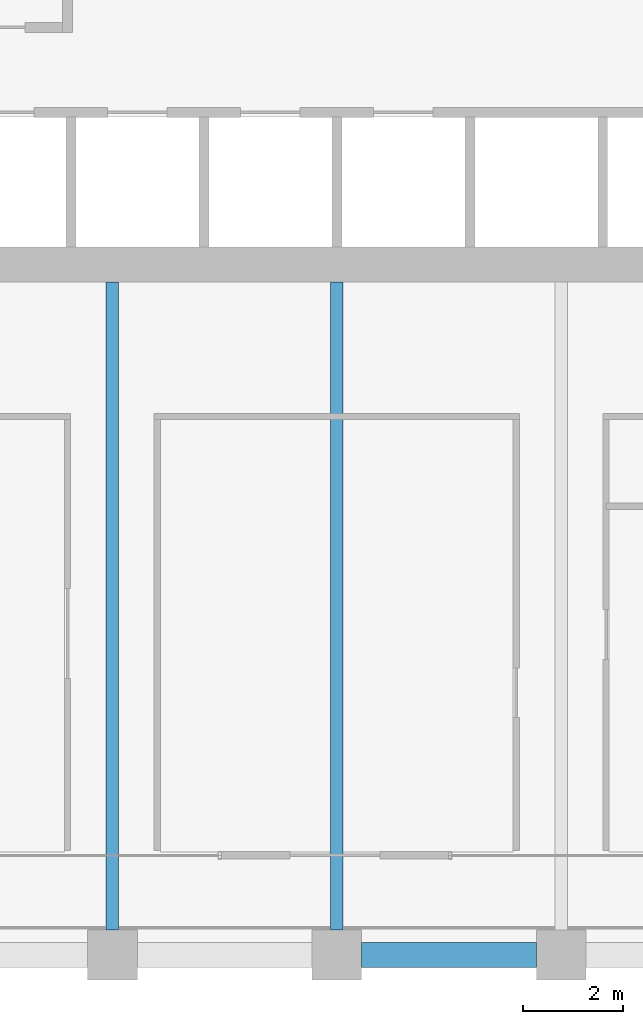
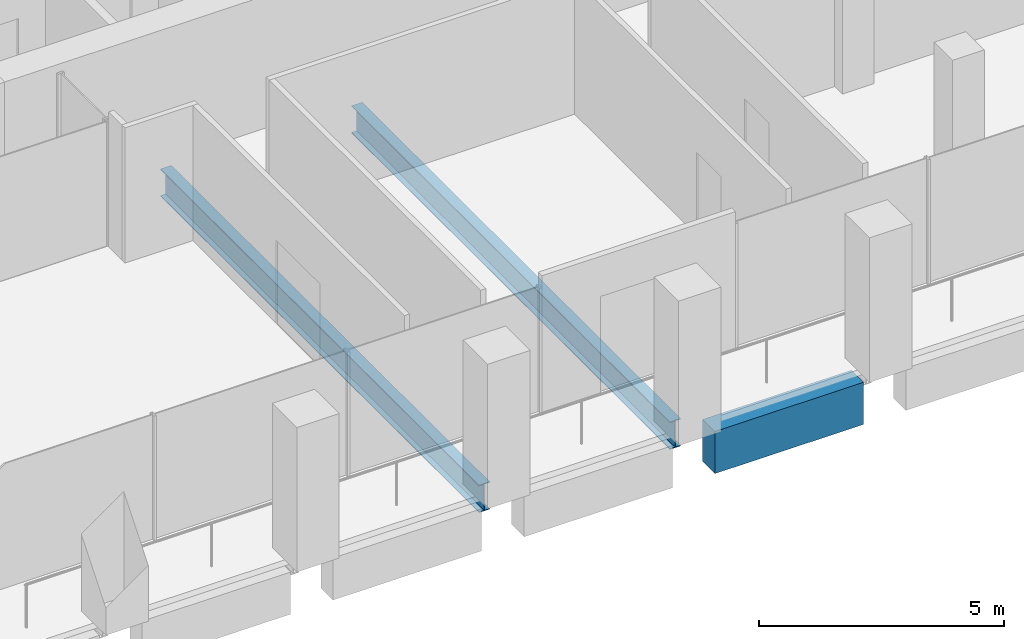
# One storey, part 8 of 46: 3 beams.
"""IFC4 building model written with IfcOpenShell, lengths in metres."""

import ifcopenshell
import ifcopenshell.guid

model = None  # the IFC model being written
_history = None  # IfcOwnerHistory: only IFC2X3 demands one
_inside = {}  # id of a spatial element -> (the spatial element, [elements in it])
_under = {}  # id of a project, library or spatial element -> (it, [spatial elements below it])
_declared = {}  # id of a project -> (the project, [libraries it declares])
_typed = {}  # id of a type object -> (the type object, [elements of that type])
_made_of = {}  # id of a material, layer set ... -> (it, [elements and type objects made of it])


def new_model(schema):
    """Start an empty IFC model of exactly this schema.

    Asked for "IFC4X3", IfcOpenShell would pick the latest addendum, in which some entities
    have other attributes; the version numbers below select the first issue.
    IFC2X3 requires an IfcOwnerHistory on every rooted entity: one is made here for all.
    """
    global model, _history
    if schema == "IFC4X3":
        model = ifcopenshell.file(schema_version=(4, 3, 0, 0))
    else:
        model = ifcopenshell.file(schema=schema)
    _inside.clear()
    _under.clear()
    _declared.clear()
    _typed.clear()
    _made_of.clear()
    _history = None
    if model.schema == "IFC2X3":
        org = make("IfcOrganization", Name="unknown")
        user = make(
            "IfcPersonAndOrganization",
            ThePerson=make("IfcPerson", FamilyName="unknown"),
            TheOrganization=org,
        )
        app = make(
            "IfcApplication",
            ApplicationDeveloper=org,
            Version="unknown",
            ApplicationFullName="unknown",
            ApplicationIdentifier="unknown",
        )
        _history = make(
            "IfcOwnerHistory",
            OwningUser=user,
            OwningApplication=app,
            ChangeAction="ADDED",
            CreationDate=0,
        )
    return model


def make(cls, **values):
    """One entity of the class cls with the attributes given. An attribute that is None is left unset."""
    return model.create_entity(
        cls, **{name: value for name, value in values.items() if value is not None}
    )


def rooted(cls, **values):
    """An entity with a GlobalId (a new one), such as an element, a storey or a relation."""
    return make(cls, GlobalId=ifcopenshell.guid.new(), OwnerHistory=_history, **values)


def si_unit(unit_type, name, prefix=None):
    """IfcSIUnit, for example si_unit("LENGTHUNIT", "METRE", prefix="MILLI")."""
    return make("IfcSIUnit", UnitType=unit_type, Prefix=prefix, Name=name)


def assignment(units):
    """IfcUnitAssignment: the units of a project."""
    return None if units is None else make("IfcUnitAssignment", Units=units)


def point(xyz):
    """IfcCartesianPoint."""
    return None if xyz is None else make("IfcCartesianPoint", Coordinates=xyz)


def direction(xyz):
    """IfcDirection."""
    return None if xyz is None else make("IfcDirection", DirectionRatios=xyz)


def frame(location, z_axis=None, x_axis=None):
    """IfcAxis2Placement3D, a coordinate frame: its origin and axes. An axis left out is left unset."""
    return make(
        "IfcAxis2Placement3D",
        Location=point(location),
        Axis=direction(z_axis),
        RefDirection=direction(x_axis),
    )


def frame_2d(location, x_axis=None):
    """IfcAxis2Placement2D, a coordinate frame in the plane: its origin and x axis."""
    return make(
        "IfcAxis2Placement2D", Location=point(location), RefDirection=direction(x_axis)
    )


def origin():
    """The frame at (0, 0, 0) with its axes left unset."""
    return frame((0.0, 0.0, 0.0))


def origin_2d():
    """The frame at (0, 0) in the plane with its x axis left unset."""
    return frame_2d((0.0, 0.0))


def place(relative_to, where):
    """IfcLocalPlacement: puts the frame where relative to a parent placement (None: the world)."""
    return make(
        "IfcLocalPlacement", PlacementRelTo=relative_to, RelativePlacement=where
    )


def context(
    kind, dimensions, precision=None, world=None, true_north=None, identifier=None
):
    """IfcGeometricRepresentationContext, for example the 3D "Model" context."""
    return make(
        "IfcGeometricRepresentationContext",
        ContextIdentifier=identifier,
        ContextType=kind,
        CoordinateSpaceDimension=dimensions,
        Precision=precision,
        WorldCoordinateSystem=world,
        TrueNorth=true_north,
    )


def subcontext(parent, identifier, kind, view, scale=None):
    """IfcGeometricRepresentationSubContext, for example "Body" below "Model"."""
    return make(
        "IfcGeometricRepresentationSubContext",
        ContextIdentifier=identifier,
        ContextType=kind,
        ParentContext=parent,
        TargetScale=scale,
        TargetView=view,
    )


def project(units=None, contexts=None):
    """IfcProject with its units and contexts."""
    return rooted(
        "IfcProject",
        Name="project",
        RepresentationContexts=contexts,
        UnitsInContext=assignment(units),
    )


def spatial(cls, under=None, at=None, **own):
    """A site, building, storey or space (cls), placed at a placement, below another one or the project."""
    s = rooted(cls, ObjectPlacement=at, **own)
    if under is not None:
        _under.setdefault(under.id(), (under, []))[1].append(s)
    return s


def profile(cls, at=None, kind="AREA", **sizes):
    """A parametric profile (cls). Its sizes go by their IFC names, for example OverallWidth=200.0."""
    return make(cls, ProfileType=kind, Position=at, **sizes)


def rectangle(**sizes):
    """IfcRectangleProfileDef."""
    return profile("IfcRectangleProfileDef", **sizes)


def i_section(**sizes):
    """IfcIShapeProfileDef."""
    return profile("IfcIShapeProfileDef", **sizes)


def extrude(swept, where, along, depth):
    """IfcExtrudedAreaSolid: the profile swept, set in the frame where, extruded along a direction by depth."""
    return make(
        "IfcExtrudedAreaSolid",
        SweptArea=swept,
        Position=where,
        ExtrudedDirection=direction(along),
        Depth=depth,
    )


def shape(context_of_items, identifier, shape_type, items):
    """IfcShapeRepresentation: the items that make up one representation, for example the "Body"."""
    return make(
        "IfcShapeRepresentation",
        ContextOfItems=context_of_items,
        RepresentationIdentifier=identifier,
        RepresentationType=shape_type,
        Items=items,
    )


def material(Name=None, Category=None):
    """IfcMaterial."""
    return make("IfcMaterial", Name=Name, Category=Category)


def material_profile(
    of_material, cross_section, Name=None, Category=None, Priority=None
):
    """IfcMaterialProfile: a cross section and its material."""
    return make(
        "IfcMaterialProfile",
        Name=Name,
        Material=of_material,
        Profile=cross_section,
        Priority=Priority,
        Category=Category,
    )


def profile_set(profiles, Name=None, composite=None):
    """IfcMaterialProfileSet."""
    return make(
        "IfcMaterialProfileSet",
        Name=Name,
        MaterialProfiles=profiles,
        CompositeProfile=composite,
    )


def made_of(thing, what):
    """Note that an element or type object is made of a material, layer set ...; save() writes the relation."""
    if what is not None:
        _made_of.setdefault(what.id(), (what, []))[1].append(thing)
    return thing


def type_object(cls, material=None, **own):
    """A type object (cls), such as IfcWallType, which elements share."""
    return made_of(rooted(cls, **own), material)


def element(
    cls,
    number,
    at=None,
    inside=None,
    cuts=None,
    type_object=None,
    material=None,
    context=None,
    identifier="Body",
    shape_type=None,
    held_by="IfcProductDefinitionShape",
    body=None,
    shapes=None,
    **own,
):
    """One element of the class cls, such as IfcWall. Its Tag is "e" and its number.

    at: its placement. inside: the storey or other place that contains it. cuts: it is an
    opening in that element (IfcRelVoidsElement). A single representation is given by context,
    identifier, shape_type and body (its items); several are given by shapes. held_by: the class
    of the entity that holds the representations. save() writes the other relations.
    """
    e = rooted(cls, Tag="e%d" % number, ObjectPlacement=at, **own)
    if body is not None:
        shapes = [shape(context, identifier, shape_type, body)]
    if shapes is not None:
        e.Representation = make(held_by, Representations=shapes)
    if inside is not None:
        _inside.setdefault(inside.id(), (inside, []))[1].append(e)
    if cuts is not None:
        rooted(
            "IfcRelVoidsElement", RelatingBuildingElement=cuts, RelatedOpeningElement=e
        )
    if type_object is not None:
        _typed.setdefault(type_object.id(), (type_object, []))[1].append(e)
    return made_of(e, material)


def aggregate(whole, parts):
    """IfcRelAggregates: a whole, such as a stair, and the parts it consists of."""
    return rooted("IfcRelAggregates", RelatingObject=whole, RelatedObjects=parts)


def save(model, path):
    """Write the relations noted so far, then the file.

    IfcRelAggregates (storeys below a building ...), IfcRelContainedInSpatialStructure (elements
    in a storey), IfcRelDefinesByType, IfcRelAssociatesMaterial and IfcRelDeclares: one each for
    every whole, place, type object, material and project.
    """
    for whole, parts in _under.values():
        aggregate(whole, parts)
    for where, things in _inside.values():
        rooted(
            "IfcRelContainedInSpatialStructure",
            RelatedElements=things,
            RelatingStructure=where,
        )
    for kind, things in _typed.values():
        rooted("IfcRelDefinesByType", RelatedObjects=things, RelatingType=kind)
    for what, things in _made_of.values():
        rooted("IfcRelAssociatesMaterial", RelatedObjects=things, RelatingMaterial=what)
    for by, libraries in _declared.values():
        rooted("IfcRelDeclares", RelatingContext=by, RelatedDefinitions=libraries)
    model.write(path)


model = new_model("IFC4")

# Units and contexts
model_context = context("Model", 3, precision=1e-05, world=origin(), true_north=direction((0.0, 1.0)))
body_context = subcontext(model_context, "Body", "Model", "MODEL_VIEW")
ifc_project = project(units=[si_unit("LENGTHUNIT", "METRE"), si_unit("AREAUNIT", "SQUARE_METRE"), si_unit("VOLUMEUNIT", "CUBIC_METRE"), si_unit("PLANEANGLEUNIT", "RADIAN"), si_unit("MASSUNIT", "GRAM", prefix="KILO")], contexts=[model_context])

# Site, building, storey
site_placement = place(None, origin())
site = spatial("IfcSite", under=ifc_project, at=site_placement, CompositionType="ELEMENT")
building_placement = place(site_placement, origin())
building = spatial("IfcBuilding", under=site, at=building_placement, Name="Altepetl Exchange Towers", CompositionType="ELEMENT")
storey_placement = place(building_placement, frame((0.0, 0.0, 135.199951171875)))
storey = spatial("IfcBuildingStorey", under=building, at=storey_placement, Name="L33", CompositionType="ELEMENT", Elevation=135.199951171875)

# Beams
ifc_material_1 = material(Name="Steel S355", Category="steel")
ifc_material_profile_1 = material_profile(ifc_material_1, i_section(OverallWidth=0.25390625, OverallDepth=0.68408203125, WebThickness=0.012451171875, FlangeThickness=0.018798828125, at=origin_2d()), Name="W27X94")
ifc_profile_set_1 = profile_set([ifc_material_profile_1], Name="Steel S355")
beam_type_1 = type_object("IfcBeamType", Name="Floor beam W27X94", PredefinedType="BEAM", material=ifc_profile_set_1)
for number, where, z_axis, x_axis, name in (
    (1, (45.0, 27.5, -0.491943359375), (0.0, 1.0, 0.0), (-1.0, 0.0, 0.0), "bm:A:L33:015"),
    (2, (49.5, 27.5, -0.491943359375), (0.0, 1.0, 0.0), (-1.0, 0.0, 0.0), "bm:A:L33:016"),
):
    element("IfcBeam", number, at=place(storey_placement, frame(where, z_axis=z_axis, x_axis=x_axis)), inside=storey, type_object=beam_type_1, Name=name, PredefinedType="BEAM", context=body_context, shape_type="SweptSolid", body=[
        extrude(i_section(OverallWidth=0.25390625, OverallDepth=0.68408203125, WebThickness=0.012451171875, FlangeThickness=0.018798828125, at=origin_2d()), origin(), (0.0, 0.0, 1.0), 13.0),
    ])
ifc_material_2 = material(Name="Concrete C50/60 precast with cantera blanca facing", Category="concrete")
ifc_material_profile_2 = material_profile(ifc_material_2, rectangle(XDim=0.5, YDim=1.050048828125, at=origin_2d()), Name="500 x 1050")
ifc_profile_set_2 = profile_set([ifc_material_profile_2], Name="Concrete C50/60 precast with cantera blanca facing")
beam_type_2 = type_object("IfcBeamType", Name="Spandrel beam 500x1050 cantera blanca", PredefinedType="SPANDREL", material=ifc_profile_set_2)
beam_placement = place(storey_placement, frame((50.0, 27.0, -0.675048828125), z_axis=(1.0, 0.0, 0.0), x_axis=(0.0, 1.0, 0.0)))
element("IfcBeam", 3, at=beam_placement, inside=storey, type_object=beam_type_2, Name="sp:A:L33:004", PredefinedType="SPANDREL", context=body_context, shape_type="SweptSolid", body=[
    extrude(rectangle(XDim=0.5, YDim=1.050048828125, at=origin_2d()), origin(), (0.0, 0.0, 1.0), 3.5),
])

save(model, "model.ifc")
